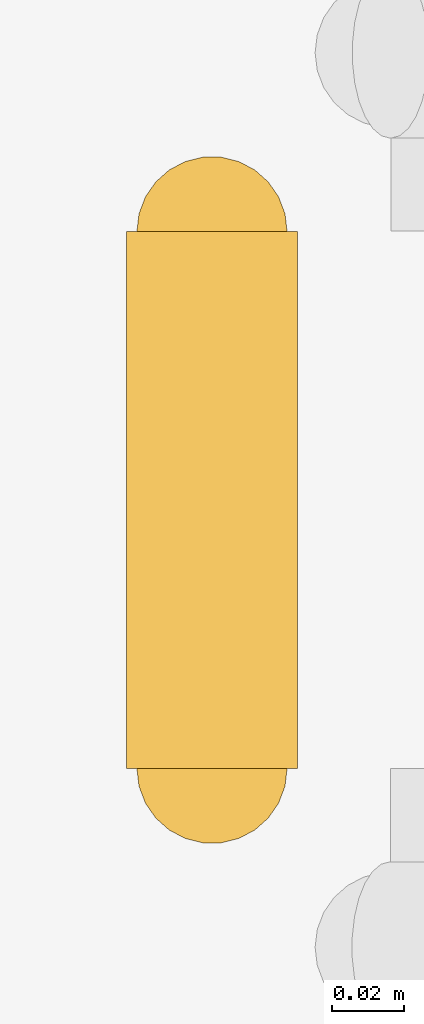
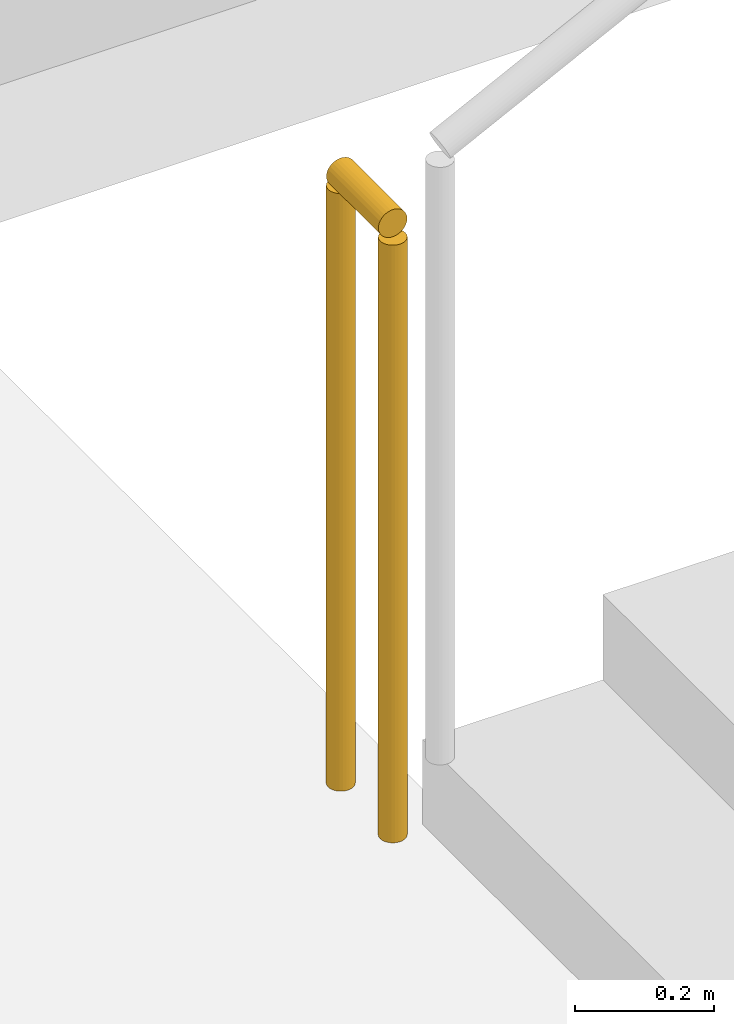
# One storey, part 42 of 47: 1 railing.
"""IFC4 building model written with IfcOpenShell, lengths in metres."""

from ifc_helpers import new_model, si_unit, direction, frame, origin, origin_2d, place, context, subcontext, project, spatial, circle, extrude, material, type_object, element, save


model = new_model("IFC4")

# Units and contexts
model_context = context("Model", 3, precision=1e-05, world=origin(), true_north=direction((0.0, 1.0)))
body_context = subcontext(model_context, "Body", "Model", "MODEL_VIEW")
ifc_project = project(units=[si_unit("LENGTHUNIT", "METRE"), si_unit("AREAUNIT", "SQUARE_METRE"), si_unit("VOLUMEUNIT", "CUBIC_METRE"), si_unit("PLANEANGLEUNIT", "RADIAN"), si_unit("MASSUNIT", "GRAM", prefix="KILO")], contexts=[model_context])

# Site, building, storey
site_placement = place(None, origin())
site = spatial("IfcSite", under=ifc_project, at=site_placement, CompositionType="ELEMENT")
building_placement = place(site_placement, origin())
building = spatial("IfcBuilding", under=site, at=building_placement, Name="Zevrakil Square Congress Hotel", CompositionType="ELEMENT")
storey_placement = place(building_placement, frame((0.0, 0.0, -4.199951171875)))
storey = spatial("IfcBuildingStorey", under=building, at=storey_placement, Name="B1", CompositionType="ELEMENT", Elevation=-4.199951171875)

# Railing
ifc_material = material(Name="Steel S355", Category="steel")
railing_type = type_object("IfcRailingType", Name="RLG-STAIR-GUARD-1100", PredefinedType="BALUSTRADE", material=ifc_material)
railing_placement = place(storey_placement, frame((57.35009765625, 87.0, 0.0)))
element("IfcRailing", 1, at=railing_placement, inside=storey, type_object=railing_type, Name="B1 ST05 stair guard 4", PredefinedType="BALUSTRADE", context=body_context, shape_type="SweptSolid", body=[
    extrude(circle(Radius=0.02392578125, at=origin_2d()), frame((0.0, 0.0, 1.076171875), z_axis=(0.0, 1.0, 0.0), x_axis=(-1.0, 0.0, 0.0)), (0.0, 0.0, 1.0), 0.14990234375),
    extrude(circle(Radius=0.02099609375, at=origin_2d()), origin(), (0.0, 0.0, 1.0), 1.052001953125),
    extrude(circle(Radius=0.02099609375, at=origin_2d()), frame((0.0, 0.14990234375, 0.0)), (0.0, 0.0, 1.0), 1.052001953125),
])

save(model, "model.ifc")
